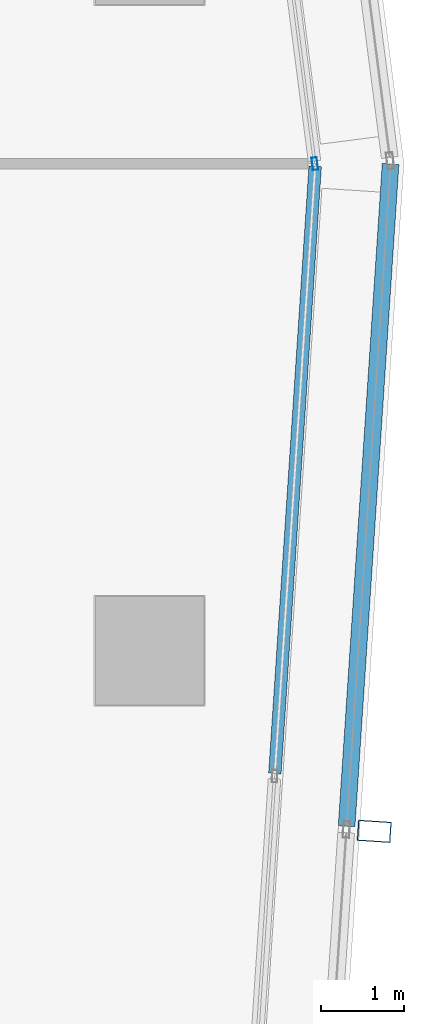
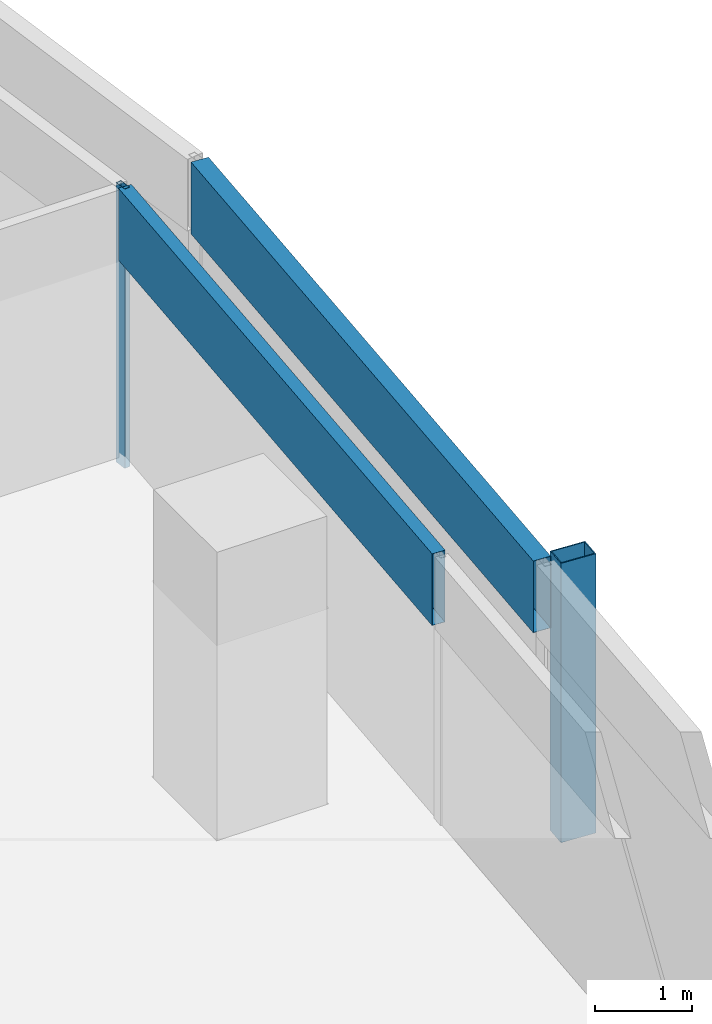
# One storey, part 13 of 29: 4 members, 3 elements without a shape of their own.
"""IFC4 building model written with IfcOpenShell, lengths in metres."""

from ifc_helpers import new_model, si_unit, direction, frame, origin, origin_2d, place, context, subcontext, project, spatial, hollow_rectangle, extrude, material, material_profile, profile_set, type_object, element, aggregate, save


model = new_model("IFC4")

# Units and contexts
model_context = context("Model", 3, precision=1e-05, world=origin(), true_north=direction((0.0, 1.0)))
body_context = subcontext(model_context, "Body", "Model", "MODEL_VIEW")
ifc_project = project(units=[si_unit("LENGTHUNIT", "METRE"), si_unit("AREAUNIT", "SQUARE_METRE"), si_unit("VOLUMEUNIT", "CUBIC_METRE"), si_unit("PLANEANGLEUNIT", "RADIAN"), si_unit("MASSUNIT", "GRAM", prefix="KILO")], contexts=[model_context])

# Site, building, storey
site_placement = place(None, origin())
site = spatial("IfcSite", under=ifc_project, at=site_placement, CompositionType="ELEMENT")
building_placement = place(site_placement, origin())
building = spatial("IfcBuilding", under=site, at=building_placement, Name="Rekha Terrace Tower", CompositionType="ELEMENT")
storey_placement = place(building_placement, frame((0.0, 0.0, 257.60009765625)))
storey = spatial("IfcBuildingStorey", under=building, at=storey_placement, Name="L65", CompositionType="ELEMENT", Elevation=257.60009765625)

# Curtain wall, member
ifc_material_1 = material(Name="Aluminium framing", Category="aluminium")
curtain_wall_type_1 = type_object("IfcCurtainWallType", Name="CW2 double skin outer glazing", PredefinedType="USERDEFINED", material=ifc_material_1)
curtain_wall_1_placement = place(storey_placement, origin())
curtain_wall_1 = element("IfcCurtainWall", 1, at=curtain_wall_1_placement, inside=storey, type_object=curtain_wall_type_1, Name="CW2 double skin outer glazing", ObjectType="DOUBLE SKIN OUTER GLAZING", PredefinedType="USERDEFINED")
ifc_material_2 = material(Name="Steel S355 with fluorocarbon finish", Category="steel")
ifc_material_profile_1 = material_profile(ifc_material_2, hollow_rectangle(XDim=0.25, YDim=0.39990234375, WallThickness=0.012451171875, at=origin_2d()), Name="RHS400x250x12.5")
ifc_profile_set_1 = profile_set([ifc_material_profile_1], Name="Steel S355 with fluorocarbon finish")
member_type_1 = type_object("IfcMemberType", Name="BL1 facade blade RHS 400 x 250", PredefinedType="USERDEFINED", material=ifc_profile_set_1)
member_1_placement = place(storey_placement, frame((61.49365234375, 31.435302734375, 0.0), z_axis=(0.0, 0.0, 1.0), x_axis=(0.066272158908, 0.99780158396, 0.0)))
member_1 = element("IfcMember", 2, at=member_1_placement, type_object=member_type_1, Name="Facade blade", ObjectType="FACADE BLADE", PredefinedType="USERDEFINED", context=body_context, shape_type="SweptSolid", body=[
    extrude(hollow_rectangle(XDim=0.25, YDim=0.39990234375, WallThickness=0.012451171875, at=origin_2d()), origin(), (0.0, 0.0, 1.0), 3.5),
])

curtain_wall_type_2 = type_object("IfcCurtainWallType", Name="CW1 double skin inner glazing", PredefinedType="USERDEFINED", material=ifc_material_1)
curtain_wall_2_placement = place(storey_placement, origin())
curtain_wall_2 = element("IfcCurtainWall", 3, at=curtain_wall_2_placement, inside=storey, type_object=curtain_wall_type_2, Name="CW1 double skin inner glazing", ObjectType="DOUBLE SKIN INNER GLAZING", PredefinedType="USERDEFINED")
ifc_material_3 = material(Name="Aluminium mullion section", Category="aluminium")
ifc_material_profile_2 = material_profile(ifc_material_3, hollow_rectangle(XDim=0.06494140625, YDim=0.14990234375, WallThickness=0.00390625, at=origin_2d()), Name="AL RHS 65x150")
ifc_profile_set_2 = profile_set([ifc_material_profile_2], Name="Aluminium mullion section")
member_type_2 = type_object("IfcMemberType", Name="CW1 mullion RHS 65 x 150", PredefinedType="MULLION", material=ifc_profile_set_2)
member_2_placement = place(storey_placement, frame((60.78125, 39.439208984375, 0.0), z_axis=(0.0, 0.0, 1.0), x_axis=(-0.991790949472, -0.127869904766, 0.0)))
member_2 = element("IfcMember", 4, at=member_2_placement, type_object=member_type_2, Name="CW1 mullion 1", PredefinedType="MULLION", context=body_context, shape_type="SweptSolid", body=[
    extrude(hollow_rectangle(XDim=0.06494140625, YDim=0.14990234375, WallThickness=0.00390625, at=origin_2d()), origin(), (0.0, 0.0, 1.0), 3.5),
])
aggregate(curtain_wall_2, [member_2])

curtain_wall_3_placement = place(storey_placement, origin())
curtain_wall_3 = element("IfcCurtainWall", 5, at=curtain_wall_3_placement, inside=storey, type_object=curtain_wall_type_2, Name="CW1 double skin inner glazing", ObjectType="DOUBLE SKIN INNER GLAZING", PredefinedType="USERDEFINED")
ifc_material_4 = material(Name="Insulated aluminium spandrel box", Category="aluminium")
ifc_material_profile_3 = material_profile(ifc_material_4, hollow_rectangle(XDim=0.14990234375, YDim=0.89990234375, WallThickness=0.0029296875, at=origin_2d()), Name="AL SPANDREL BOX 150x900")
ifc_profile_set_3 = profile_set([ifc_material_profile_3], Name="Insulated aluminium spandrel box")
member_type_3 = type_object("IfcMemberType", Name="CW1 spandrel transom 150 x 900", PredefinedType="USERDEFINED", material=ifc_profile_set_3)
member_3_placement = place(storey_placement, frame((60.302001953125, 32.129150390625, 3.0498046875), z_axis=(0.066274633038, 0.99780141963, 0.0), x_axis=(-0.99780141963, 0.066274633038, 0.0)))
member_3 = element("IfcMember", 6, at=member_3_placement, type_object=member_type_3, Name="CW1 spandrel transom 3", ObjectType="TRANSOM", PredefinedType="USERDEFINED", context=body_context, shape_type="SweptSolid", body=[
    extrude(hollow_rectangle(XDim=0.14990234375, YDim=0.89990234375, WallThickness=0.0029296875, at=origin_2d()), origin(), (0.0, 0.0, 1.0), 7.2939453125),
])
aggregate(curtain_wall_3, [member_3])

# Member
ifc_material_profile_4 = material_profile(ifc_material_4, hollow_rectangle(XDim=0.199951171875, YDim=0.89990234375, WallThickness=0.0029296875, at=origin_2d()), Name="AL SPANDREL BOX 200x900")
ifc_profile_set_4 = profile_set([ifc_material_profile_4], Name="Insulated aluminium spandrel box")
member_type_4 = type_object("IfcMemberType", Name="CW2 spandrel transom 200 x 900", PredefinedType="USERDEFINED", material=ifc_profile_set_4)
member_4_placement = place(storey_placement, frame((61.162109375, 31.497314453125, 3.0498046875), z_axis=(0.066258284658, 0.997802505366, 0.0), x_axis=(-0.997802505366, 0.066258284658, 0.0)))
member_4 = element("IfcMember", 7, at=member_4_placement, type_object=member_type_4, Name="CW2 spandrel transom 3", ObjectType="TRANSOM", PredefinedType="USERDEFINED", context=body_context, shape_type="SweptSolid", body=[
    extrude(hollow_rectangle(XDim=0.199951171875, YDim=0.89990234375, WallThickness=0.0029296875, at=origin_2d()), origin(), (0.0, 0.0, 1.0), 7.955322265625),
])

aggregate(curtain_wall_1, [member_4, member_1])

save(model, "model.ifc")
